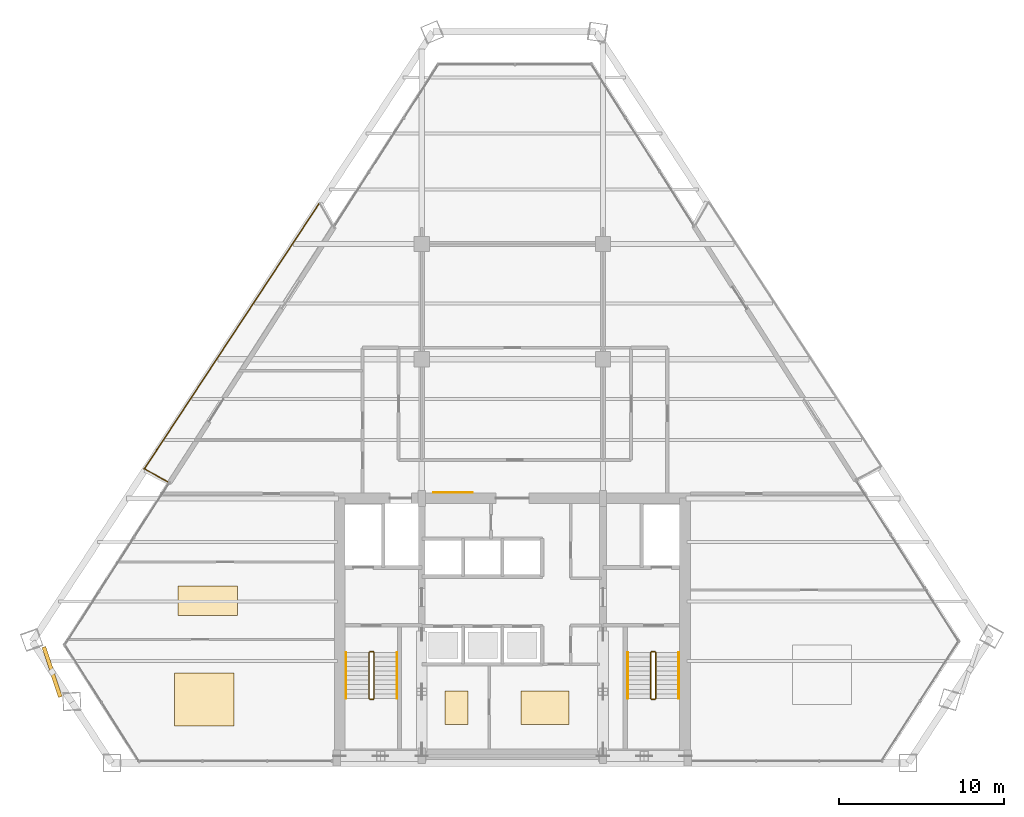
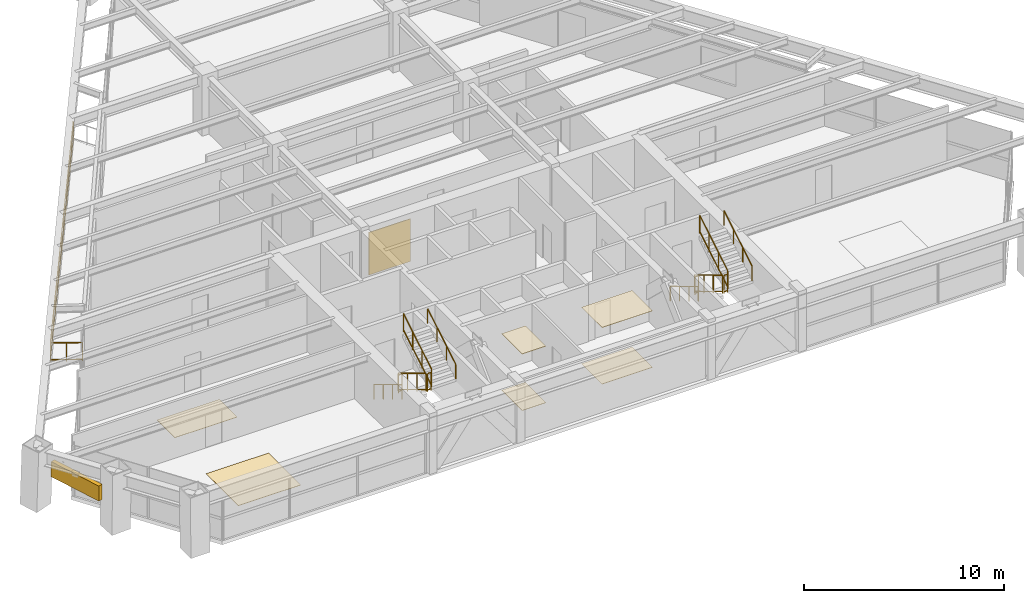
# One storey, part 14 of 16: 14 railings, 7 coverings, 1 shading device.
"""IFC4 building model written with IfcOpenShell, lengths in metres."""

from ifc_helpers import new_model, si_unit, direction, frame, origin, origin_2d, place, context, subcontext, project, spatial, rectangle, extrude, source, transform, mapped, material, layer, layer_set, type_object, type_shapes, element, save


model = new_model("IFC4")

# Units and contexts
model_context = context("Model", 3, precision=1e-05, world=origin(), true_north=direction((0.0, 1.0)))
body_context = subcontext(model_context, "Body", "Model", "MODEL_VIEW")
ifc_project = project(units=[si_unit("LENGTHUNIT", "METRE"), si_unit("AREAUNIT", "SQUARE_METRE"), si_unit("VOLUMEUNIT", "CUBIC_METRE"), si_unit("PLANEANGLEUNIT", "RADIAN"), si_unit("MASSUNIT", "GRAM", prefix="KILO")], contexts=[model_context])

# Site, building, storey
site_placement = place(None, origin())
site = spatial("IfcSite", under=ifc_project, at=site_placement, CompositionType="ELEMENT")
building_placement = place(site_placement, origin())
building = spatial("IfcBuilding", under=site, at=building_placement, Name="Varnakhor Terracotta Tower", CompositionType="ELEMENT")
storey_placement = place(building_placement, frame((0.0, 0.0, 151.5)))
storey = spatial("IfcBuildingStorey", under=building, at=storey_placement, Name="L38", CompositionType="ELEMENT", Elevation=151.5)

# Railings
ifc_material_1 = material(Name="Stainless Steel & Laminated Glass Guardrail", Category="steel")
railing_type_1 = type_object("IfcRailingType", Name="RLG-LOGGIA-GUARD-1150", PredefinedType="GUARDRAIL", material=ifc_material_1)
railing_1_placement = place(storey_placement, frame((-20.927001953125, 17.072265625, 0.0)))
element("IfcRailing", 1, at=railing_1_placement, inside=storey, type_object=railing_type_1, Name="L38 W Loggia Glass Guard 1", PredefinedType="GUARDRAIL", context=body_context, shape_type="SweptSolid", body=[
    extrude(rectangle(XDim=0.048095703125, YDim=0.048095703125, at=origin_2d()), frame((0.0, 0.0, 1.1259765625), z_axis=(-0.874178695969, 0.485604373449, 0.0), x_axis=(-0.485604373449, -0.874178695969, 0.0)), (0.0, 0.0, 1.0), 1.61279296875),
    extrude(rectangle(XDim=0.048095703125, YDim=0.048095703125, at=origin_2d()), frame((0.0, 0.0, 0.10009765625), z_axis=(-0.874178695969, 0.485604373449, 0.0), x_axis=(-0.485604373449, -0.874178695969, 0.0)), (0.0, 0.0, 1.0), 1.61279296875),
    extrude(rectangle(XDim=0.0419921875, YDim=0.0419921875, at=origin_2d()), origin(), (0.0, 0.0, 1.0), 1.101806640625),
    extrude(rectangle(XDim=0.0419921875, YDim=0.0419921875, at=origin_2d()), frame((-0.705078125, 0.3916015625, 0.0)), (0.0, 0.0, 1.0), 1.101806640625),
    extrude(rectangle(XDim=0.0419921875, YDim=0.0419921875, at=origin_2d()), frame((-1.409912109375, 0.783203125, 0.0)), (0.0, 0.0, 1.0), 1.101806640625),
])
railing_2_placement = place(storey_placement, frame((-22.3369140625, 17.85546875, 0.0)))
element("IfcRailing", 2, at=railing_2_placement, inside=storey, type_object=railing_type_1, Name="L38 W Loggia Glass Guard 2", PredefinedType="GUARDRAIL", context=body_context, shape_type="SweptSolid", body=[
    extrude(rectangle(XDim=0.048095703125, YDim=0.048095703125, at=origin_2d()), frame((0.0, 0.0, 1.1259765625), z_axis=(0.550427145008, 0.834883200238, 0.0), x_axis=(-0.834883200238, 0.550427145008, 0.0)), (0.0, 0.0, 1.0), 19.309326171875),
    extrude(rectangle(XDim=0.048095703125, YDim=0.048095703125, at=origin_2d()), frame((0.0, 0.0, 0.10009765625), z_axis=(0.550427145008, 0.834883200238, 0.0), x_axis=(-0.834883200238, 0.550427145008, 0.0)), (0.0, 0.0, 1.0), 19.309326171875),
    extrude(rectangle(XDim=0.0419921875, YDim=0.0419921875, at=origin_2d()), origin(), (0.0, 0.0, 1.0), 1.101806640625),
    extrude(rectangle(XDim=0.0419921875, YDim=0.0419921875, at=origin_2d()), frame((0.75927734375, 1.151611328125, 0.0)), (0.0, 0.0, 1.0), 1.101806640625),
    extrude(rectangle(XDim=0.0419921875, YDim=0.0419921875, at=origin_2d()), frame((1.518310546875, 2.302978515625, 0.0)), (0.0, 0.0, 1.0), 1.101806640625),
    extrude(rectangle(XDim=0.0419921875, YDim=0.0419921875, at=origin_2d()), frame((2.277587890625, 3.45458984375, 0.0)), (0.0, 0.0, 1.0), 1.101806640625),
    extrude(rectangle(XDim=0.0419921875, YDim=0.0419921875, at=origin_2d()), frame((3.03662109375, 4.60595703125, 0.0)), (0.0, 0.0, 1.0), 1.101806640625),
    extrude(rectangle(XDim=0.0419921875, YDim=0.0419921875, at=origin_2d()), frame((3.7958984375, 5.757568359375, 0.0)), (0.0, 0.0, 1.0), 1.101806640625),
    extrude(rectangle(XDim=0.0419921875, YDim=0.0419921875, at=origin_2d()), frame((4.554931640625, 6.908935546875, 0.0)), (0.0, 0.0, 1.0), 1.101806640625),
    extrude(rectangle(XDim=0.0419921875, YDim=0.0419921875, at=origin_2d()), frame((5.314208984375, 8.060546875, 0.0)), (0.0, 0.0, 1.0), 1.101806640625),
    extrude(rectangle(XDim=0.0419921875, YDim=0.0419921875, at=origin_2d()), frame((6.073486328125, 9.212158203125, 0.0)), (0.0, 0.0, 1.0), 1.101806640625),
    extrude(rectangle(XDim=0.0419921875, YDim=0.0419921875, at=origin_2d()), frame((6.83251953125, 10.363525390625, 0.0)), (0.0, 0.0, 1.0), 1.101806640625),
    extrude(rectangle(XDim=0.0419921875, YDim=0.0419921875, at=origin_2d()), frame((7.591796875, 11.51513671875, 0.0)), (0.0, 0.0, 1.0), 1.101806640625),
    extrude(rectangle(XDim=0.0419921875, YDim=0.0419921875, at=origin_2d()), frame((8.350830078125, 12.66650390625, 0.0)), (0.0, 0.0, 1.0), 1.101806640625),
    extrude(rectangle(XDim=0.0419921875, YDim=0.0419921875, at=origin_2d()), frame((9.110107421875, 13.818115234375, 0.0)), (0.0, 0.0, 1.0), 1.101806640625),
    extrude(rectangle(XDim=0.0419921875, YDim=0.0419921875, at=origin_2d()), frame((9.869140625, 14.969482421875, 0.0)), (0.0, 0.0, 1.0), 1.101806640625),
    extrude(rectangle(XDim=0.0419921875, YDim=0.0419921875, at=origin_2d()), frame((10.62841796875, 16.12109375, 0.0)), (0.0, 0.0, 1.0), 1.101806640625),
])
ifc_material_2 = material(Name="Painted Steel Stairwell Guardrail", Category="steel")
railing_type_2 = type_object("IfcRailingType", Name="RLG-STAIR-GUARD-1120", PredefinedType="GUARDRAIL", material=ifc_material_2)
railing_3_placement = place(storey_placement, frame((-8.699951171875, 6.7099609375, 0.168212890625)))
element("IfcRailing", 3, at=railing_3_placement, inside=storey, type_object=railing_type_2, Name="L38 ST-1 stair guard 1", PredefinedType="GUARDRAIL", context=body_context, shape_type="SweptSolid", body=[
    extrude(rectangle(XDim=0.048095703125, YDim=0.048095703125, at=origin_2d()), frame((0.0, 0.0, 1.09619140625), z_axis=(0.0, -0.857242210791, 0.514913383045), x_axis=(1.0, 0.0, 0.0)), (0.0, 0.0, 1.0), 3.266357421875),
    extrude(rectangle(XDim=0.048095703125, YDim=0.048095703125, at=origin_2d()), frame((0.0, 0.0, 0.10009765625), z_axis=(0.0, -0.857242210791, 0.514913383045), x_axis=(1.0, 0.0, 0.0)), (0.0, 0.0, 1.0), 3.266357421875),
    extrude(rectangle(XDim=0.0419921875, YDim=0.0419921875, at=origin_2d()), origin(), (0.0, 0.0, 1.0), 1.072021484375),
    extrude(rectangle(XDim=0.0419921875, YDim=0.0419921875, at=origin_2d()), frame((0.0, -0.933349609375, 0.560546875)), (0.0, 0.0, 1.0), 1.072021484375),
    extrude(rectangle(XDim=0.0419921875, YDim=0.0419921875, at=origin_2d()), frame((0.0, -1.86669921875, 1.121337890625)), (0.0, 0.0, 1.0), 1.072021484375),
    extrude(rectangle(XDim=0.0419921875, YDim=0.0419921875, at=origin_2d()), frame((0.0, -2.800048828125, 1.681884765625)), (0.0, 0.0, 1.0), 1.072021484375),
])
railing_4_placement = place(storey_placement, frame((-8.64990234375, 3.860107421875, 1.85009765625)))
element("IfcRailing", 4, at=railing_4_placement, inside=storey, type_object=railing_type_2, Name="L38 ST-1 stair guard 2", PredefinedType="GUARDRAIL", context=body_context, shape_type="SweptSolid", body=[
    extrude(rectangle(XDim=0.048095703125, YDim=0.048095703125, at=origin_2d()), frame((0.0, 0.0, 1.09619140625), z_axis=(1.0, 0.0, 0.0), x_axis=(0.0, 1.0, 0.0)), (0.0, 0.0, 1.0), 0.199951171875),
    extrude(rectangle(XDim=0.048095703125, YDim=0.048095703125, at=origin_2d()), frame((0.0, 0.0, 0.10009765625), z_axis=(1.0, 0.0, 0.0), x_axis=(0.0, 1.0, 0.0)), (0.0, 0.0, 1.0), 0.199951171875),
    extrude(rectangle(XDim=0.0419921875, YDim=0.0419921875, at=origin_2d()), origin(), (0.0, 0.0, 1.0), 1.072021484375),
    extrude(rectangle(XDim=0.0419921875, YDim=0.0419921875, at=origin_2d()), frame((0.199951171875, 0.0, 0.0)), (0.0, 0.0, 1.0), 1.072021484375),
])
railing_5_placement = place(storey_placement, frame((-8.39990234375, 3.909912109375, 2.01806640625)))
element("IfcRailing", 5, at=railing_5_placement, inside=storey, type_object=railing_type_2, Name="L38 ST-1 stair guard 3", PredefinedType="GUARDRAIL", context=body_context, shape_type="SweptSolid", body=[
    extrude(rectangle(XDim=0.048095703125, YDim=0.048095703125, at=origin_2d()), frame((0.0, 0.0, 1.09619140625), z_axis=(0.0, 0.857242210791, 0.514913383045), x_axis=(-1.0, 0.0, 0.0)), (0.0, 0.0, 1.0), 3.266357421875),
    extrude(rectangle(XDim=0.048095703125, YDim=0.048095703125, at=origin_2d()), frame((0.0, 0.0, 0.10009765625), z_axis=(0.0, 0.857242210791, 0.514913383045), x_axis=(-1.0, 0.0, 0.0)), (0.0, 0.0, 1.0), 3.266357421875),
    extrude(rectangle(XDim=0.0419921875, YDim=0.0419921875, at=origin_2d()), origin(), (0.0, 0.0, 1.0), 1.072021484375),
    extrude(rectangle(XDim=0.0419921875, YDim=0.0419921875, at=origin_2d()), frame((0.0, 0.933349609375, 0.560546875)), (0.0, 0.0, 1.0), 1.072021484375),
    extrude(rectangle(XDim=0.0419921875, YDim=0.0419921875, at=origin_2d()), frame((0.0, 1.86669921875, 1.121337890625)), (0.0, 0.0, 1.0), 1.072021484375),
    extrude(rectangle(XDim=0.0419921875, YDim=0.0419921875, at=origin_2d()), frame((0.0, 2.800048828125, 1.681884765625)), (0.0, 0.0, 1.0), 1.072021484375),
])
railing_6_placement = place(storey_placement, frame((-8.64990234375, 6.760009765625, 0.0)))
element("IfcRailing", 6, at=railing_6_placement, inside=storey, type_object=railing_type_2, Name="L38 ST-1 stair guard 4", PredefinedType="GUARDRAIL", context=body_context, shape_type="SweptSolid", body=[
    extrude(rectangle(XDim=0.048095703125, YDim=0.048095703125, at=origin_2d()), frame((0.0, 0.0, 1.09619140625), z_axis=(1.0, 0.0, 0.0), x_axis=(0.0, 1.0, 0.0)), (0.0, 0.0, 1.0), 0.199951171875),
    extrude(rectangle(XDim=0.048095703125, YDim=0.048095703125, at=origin_2d()), frame((0.0, 0.0, 0.10009765625), z_axis=(1.0, 0.0, 0.0), x_axis=(0.0, 1.0, 0.0)), (0.0, 0.0, 1.0), 0.199951171875),
    extrude(rectangle(XDim=0.0419921875, YDim=0.0419921875, at=origin_2d()), origin(), (0.0, 0.0, 1.0), 1.072021484375),
    extrude(rectangle(XDim=0.0419921875, YDim=0.0419921875, at=origin_2d()), frame((0.199951171875, 0.0, 0.0)), (0.0, 0.0, 1.0), 1.072021484375),
])
railing_7_placement = place(storey_placement, frame((8.39990234375, 6.7099609375, 0.168212890625)))
element("IfcRailing", 7, at=railing_7_placement, inside=storey, type_object=railing_type_2, Name="L38 ST-2 stair guard 1", PredefinedType="GUARDRAIL", context=body_context, shape_type="SweptSolid", body=[
    extrude(rectangle(XDim=0.048095703125, YDim=0.048095703125, at=origin_2d()), frame((0.0, 0.0, 1.09619140625), z_axis=(0.0, -0.857242210791, 0.514913383045), x_axis=(1.0, 0.0, 0.0)), (0.0, 0.0, 1.0), 3.266357421875),
    extrude(rectangle(XDim=0.048095703125, YDim=0.048095703125, at=origin_2d()), frame((0.0, 0.0, 0.10009765625), z_axis=(0.0, -0.857242210791, 0.514913383045), x_axis=(1.0, 0.0, 0.0)), (0.0, 0.0, 1.0), 3.266357421875),
    extrude(rectangle(XDim=0.0419921875, YDim=0.0419921875, at=origin_2d()), origin(), (0.0, 0.0, 1.0), 1.072021484375),
    extrude(rectangle(XDim=0.0419921875, YDim=0.0419921875, at=origin_2d()), frame((0.0, -0.933349609375, 0.560546875)), (0.0, 0.0, 1.0), 1.072021484375),
    extrude(rectangle(XDim=0.0419921875, YDim=0.0419921875, at=origin_2d()), frame((0.0, -1.86669921875, 1.121337890625)), (0.0, 0.0, 1.0), 1.072021484375),
    extrude(rectangle(XDim=0.0419921875, YDim=0.0419921875, at=origin_2d()), frame((0.0, -2.800048828125, 1.681884765625)), (0.0, 0.0, 1.0), 1.072021484375),
])
railing_8_placement = place(storey_placement, frame((8.449951171875, 3.860107421875, 1.85009765625)))
element("IfcRailing", 8, at=railing_8_placement, inside=storey, type_object=railing_type_2, Name="L38 ST-2 stair guard 2", PredefinedType="GUARDRAIL", context=body_context, shape_type="SweptSolid", body=[
    extrude(rectangle(XDim=0.048095703125, YDim=0.048095703125, at=origin_2d()), frame((0.0, 0.0, 1.09619140625), z_axis=(1.0, 0.0, 0.0), x_axis=(0.0, 1.0, 0.0)), (0.0, 0.0, 1.0), 0.199951171875),
    extrude(rectangle(XDim=0.048095703125, YDim=0.048095703125, at=origin_2d()), frame((0.0, 0.0, 0.10009765625), z_axis=(1.0, 0.0, 0.0), x_axis=(0.0, 1.0, 0.0)), (0.0, 0.0, 1.0), 0.199951171875),
    extrude(rectangle(XDim=0.0419921875, YDim=0.0419921875, at=origin_2d()), origin(), (0.0, 0.0, 1.0), 1.072021484375),
    extrude(rectangle(XDim=0.0419921875, YDim=0.0419921875, at=origin_2d()), frame((0.199951171875, 0.0, 0.0)), (0.0, 0.0, 1.0), 1.072021484375),
])
railing_9_placement = place(storey_placement, frame((8.699951171875, 3.909912109375, 2.01806640625)))
element("IfcRailing", 9, at=railing_9_placement, inside=storey, type_object=railing_type_2, Name="L38 ST-2 stair guard 3", PredefinedType="GUARDRAIL", context=body_context, shape_type="SweptSolid", body=[
    extrude(rectangle(XDim=0.048095703125, YDim=0.048095703125, at=origin_2d()), frame((0.0, 0.0, 1.09619140625), z_axis=(0.0, 0.857242210791, 0.514913383045), x_axis=(-1.0, 0.0, 0.0)), (0.0, 0.0, 1.0), 3.266357421875),
    extrude(rectangle(XDim=0.048095703125, YDim=0.048095703125, at=origin_2d()), frame((0.0, 0.0, 0.10009765625), z_axis=(0.0, 0.857242210791, 0.514913383045), x_axis=(-1.0, 0.0, 0.0)), (0.0, 0.0, 1.0), 3.266357421875),
    extrude(rectangle(XDim=0.0419921875, YDim=0.0419921875, at=origin_2d()), origin(), (0.0, 0.0, 1.0), 1.072021484375),
    extrude(rectangle(XDim=0.0419921875, YDim=0.0419921875, at=origin_2d()), frame((0.0, 0.933349609375, 0.560546875)), (0.0, 0.0, 1.0), 1.072021484375),
    extrude(rectangle(XDim=0.0419921875, YDim=0.0419921875, at=origin_2d()), frame((0.0, 1.86669921875, 1.121337890625)), (0.0, 0.0, 1.0), 1.072021484375),
    extrude(rectangle(XDim=0.0419921875, YDim=0.0419921875, at=origin_2d()), frame((0.0, 2.800048828125, 1.681884765625)), (0.0, 0.0, 1.0), 1.072021484375),
])
railing_10_placement = place(storey_placement, frame((8.449951171875, 6.760009765625, 0.0)))
element("IfcRailing", 10, at=railing_10_placement, inside=storey, type_object=railing_type_2, Name="L38 ST-2 stair guard 4", PredefinedType="GUARDRAIL", context=body_context, shape_type="SweptSolid", body=[
    extrude(rectangle(XDim=0.048095703125, YDim=0.048095703125, at=origin_2d()), frame((0.0, 0.0, 1.09619140625), z_axis=(1.0, 0.0, 0.0), x_axis=(0.0, 1.0, 0.0)), (0.0, 0.0, 1.0), 0.199951171875),
    extrude(rectangle(XDim=0.048095703125, YDim=0.048095703125, at=origin_2d()), frame((0.0, 0.0, 0.10009765625), z_axis=(1.0, 0.0, 0.0), x_axis=(0.0, 1.0, 0.0)), (0.0, 0.0, 1.0), 0.199951171875),
    extrude(rectangle(XDim=0.0419921875, YDim=0.0419921875, at=origin_2d()), origin(), (0.0, 0.0, 1.0), 1.072021484375),
    extrude(rectangle(XDim=0.0419921875, YDim=0.0419921875, at=origin_2d()), frame((0.199951171875, 0.0, 0.0)), (0.0, 0.0, 1.0), 1.072021484375),
])
ifc_material_3 = material(Name="Brushed Stainless Steel Handrail", Category="steel")
railing_type_3 = type_object("IfcRailingType", Name="RLG-STAIR-HANDRAIL-920", PredefinedType="HANDRAIL", material=ifc_material_3)
railing_11_placement = place(storey_placement, frame((-10.10009765625, 6.7099609375, 0.168212890625)))
element("IfcRailing", 11, at=railing_11_placement, inside=storey, type_object=railing_type_3, Name="L38 ST-1 stair handrail 1", PredefinedType="HANDRAIL", context=body_context, shape_type="SweptSolid", body=[
    extrude(rectangle(XDim=0.048095703125, YDim=0.048095703125, at=origin_2d()), frame((0.0, 0.0, 0.89599609375), z_axis=(0.0, -0.857242210791, 0.514913383045), x_axis=(1.0, 0.0, 0.0)), (0.0, 0.0, 1.0), 3.266357421875),
    extrude(rectangle(XDim=0.0419921875, YDim=0.0419921875, at=origin_2d()), origin(), (0.0, 0.0, 1.0), 0.871826171875),
    extrude(rectangle(XDim=0.0419921875, YDim=0.0419921875, at=origin_2d()), frame((0.0, -0.933349609375, 0.560546875)), (0.0, 0.0, 1.0), 0.871826171875),
    extrude(rectangle(XDim=0.0419921875, YDim=0.0419921875, at=origin_2d()), frame((0.0, -1.86669921875, 1.121337890625)), (0.0, 0.0, 1.0), 0.871826171875),
    extrude(rectangle(XDim=0.0419921875, YDim=0.0419921875, at=origin_2d()), frame((0.0, -2.800048828125, 1.681884765625)), (0.0, 0.0, 1.0), 0.871826171875),
])
railing_12_placement = place(storey_placement, frame((-7.0, 3.909912109375, 2.01806640625)))
element("IfcRailing", 12, at=railing_12_placement, inside=storey, type_object=railing_type_3, Name="L38 ST-1 stair handrail 2", PredefinedType="HANDRAIL", context=body_context, shape_type="SweptSolid", body=[
    extrude(rectangle(XDim=0.048095703125, YDim=0.048095703125, at=origin_2d()), frame((0.0, 0.0, 0.89599609375), z_axis=(0.0, 0.857242210791, 0.514913383045), x_axis=(-1.0, 0.0, 0.0)), (0.0, 0.0, 1.0), 3.266357421875),
    extrude(rectangle(XDim=0.0419921875, YDim=0.0419921875, at=origin_2d()), origin(), (0.0, 0.0, 1.0), 0.871826171875),
    extrude(rectangle(XDim=0.0419921875, YDim=0.0419921875, at=origin_2d()), frame((0.0, 0.933349609375, 0.560546875)), (0.0, 0.0, 1.0), 0.871826171875),
    extrude(rectangle(XDim=0.0419921875, YDim=0.0419921875, at=origin_2d()), frame((0.0, 1.86669921875, 1.121337890625)), (0.0, 0.0, 1.0), 0.871826171875),
    extrude(rectangle(XDim=0.0419921875, YDim=0.0419921875, at=origin_2d()), frame((0.0, 2.800048828125, 1.681884765625)), (0.0, 0.0, 1.0), 0.871826171875),
])
railing_13_placement = place(storey_placement, frame((7.0, 6.7099609375, 0.168212890625)))
element("IfcRailing", 13, at=railing_13_placement, inside=storey, type_object=railing_type_3, Name="L38 ST-2 stair handrail 1", PredefinedType="HANDRAIL", context=body_context, shape_type="SweptSolid", body=[
    extrude(rectangle(XDim=0.048095703125, YDim=0.048095703125, at=origin_2d()), frame((0.0, 0.0, 0.89599609375), z_axis=(0.0, -0.857242210791, 0.514913383045), x_axis=(1.0, 0.0, 0.0)), (0.0, 0.0, 1.0), 3.266357421875),
    extrude(rectangle(XDim=0.0419921875, YDim=0.0419921875, at=origin_2d()), origin(), (0.0, 0.0, 1.0), 0.871826171875),
    extrude(rectangle(XDim=0.0419921875, YDim=0.0419921875, at=origin_2d()), frame((0.0, -0.933349609375, 0.560546875)), (0.0, 0.0, 1.0), 0.871826171875),
    extrude(rectangle(XDim=0.0419921875, YDim=0.0419921875, at=origin_2d()), frame((0.0, -1.86669921875, 1.121337890625)), (0.0, 0.0, 1.0), 0.871826171875),
    extrude(rectangle(XDim=0.0419921875, YDim=0.0419921875, at=origin_2d()), frame((0.0, -2.800048828125, 1.681884765625)), (0.0, 0.0, 1.0), 0.871826171875),
])
railing_14_placement = place(storey_placement, frame((10.10009765625, 3.909912109375, 2.01806640625)))
element("IfcRailing", 14, at=railing_14_placement, inside=storey, type_object=railing_type_3, Name="L38 ST-2 stair handrail 2", PredefinedType="HANDRAIL", context=body_context, shape_type="SweptSolid", body=[
    extrude(rectangle(XDim=0.048095703125, YDim=0.048095703125, at=origin_2d()), frame((0.0, 0.0, 0.89599609375), z_axis=(0.0, 0.857242210791, 0.514913383045), x_axis=(-1.0, 0.0, 0.0)), (0.0, 0.0, 1.0), 3.266357421875),
    extrude(rectangle(XDim=0.0419921875, YDim=0.0419921875, at=origin_2d()), origin(), (0.0, 0.0, 1.0), 0.871826171875),
    extrude(rectangle(XDim=0.0419921875, YDim=0.0419921875, at=origin_2d()), frame((0.0, 0.933349609375, 0.560546875)), (0.0, 0.0, 1.0), 0.871826171875),
    extrude(rectangle(XDim=0.0419921875, YDim=0.0419921875, at=origin_2d()), frame((0.0, 1.86669921875, 1.121337890625)), (0.0, 0.0, 1.0), 0.871826171875),
    extrude(rectangle(XDim=0.0419921875, YDim=0.0419921875, at=origin_2d()), frame((0.0, 2.800048828125, 1.681884765625)), (0.0, 0.0, 1.0), 0.871826171875),
])

# Shading device
ifc_material_4 = material(Name="Extruded Architectural Terracotta Screen", Category="masonry")
shading_device_type = type_object("IfcShadingDeviceType", Name="TERRACOTTA SOLAR SCREEN W", PredefinedType="USERDEFINED", material=ifc_material_4)
shared_shape_1 = source(origin(), body_context, "Body", "SweptSolid", [
    extrude(rectangle(XDim=3.199951171875, YDim=0.239990234375, at=origin_2d()), origin(), (0.0, 0.0, 1.0), 0.919921875),
])
type_shapes(shading_device_type, [shared_shape_1])
shading_device_placement = place(storey_placement, frame((-27.9365234375, 5.52587890625, 1.7099609375), z_axis=(0.0, 0.0, 1.0), x_axis=(0.310726198092, -0.950499463345, 0.0)))
element("IfcShadingDevice", 15, at=shading_device_placement, inside=storey, type_object=shading_device_type, Name="L38 W Terracotta Solar Screen", ObjectType="SCREEN", PredefinedType="USERDEFINED", context=body_context, shape_type="MappedRepresentation", body=[
    mapped(shared_shape_1, transform((0.0, 0.0, 0.0), scale=1.0)),
])

# Coverings
ifc_material_5 = material(Name="Extruded Architectural Terracotta Cladding", Category="masonry")
ifc_layer_1 = layer(ifc_material_5, 0.044921875, Name="Extruded Architectural Terracotta Cladding")
ifc_layer_set_1 = layer_set([ifc_layer_1], Name="Extruded Architectural Terracotta Cladding")
covering_type_1 = type_object("IfcCoveringType", Name="COV-CLAD-TERRACOTTA", PredefinedType="CLADDING", material=ifc_layer_set_1)
shared_shape_2 = source(origin(), body_context, "Body", "SweptSolid", [
    extrude(rectangle(XDim=2.39990234375, YDim=0.030029296875, at=origin_2d()), origin(), (0.0, 0.0, 1.0), 2.60009765625),
])
type_shapes(covering_type_1, [shared_shape_2])
covering_1_placement = place(storey_placement, frame((-3.60009765625, 16.412109375, 0.0), z_axis=(0.0, 0.0, 1.0), x_axis=(1.0, 0.0, 0.0)))
element("IfcCovering", 16, at=covering_1_placement, inside=storey, type_object=covering_type_1, Name="L38 Core Lobby Limestone Cladding", PredefinedType="CLADDING", context=body_context, shape_type="MappedRepresentation", body=[
    mapped(shared_shape_2, transform((0.0, 0.0, 0.0), scale=1.0)),
])
ifc_material_6 = material(Name="Honed Riyadh Limestone Flooring", Category="masonry")
ifc_layer_2 = layer(ifc_material_6, 0.030029296875, Name="Honed Riyadh Limestone Flooring")
ifc_layer_set_2 = layer_set([ifc_layer_2], Name="Honed Riyadh Limestone Flooring")
covering_type_2 = type_object("IfcCoveringType", Name="COV-FLOOR-LIMESTONE", PredefinedType="FLOORING", material=ifc_layer_set_2)
shared_shape_3 = source(origin(), body_context, "Body", "SweptSolid", [
    extrude(rectangle(XDim=3.60009765625, YDim=3.214111328125, at=origin_2d()), origin(), (0.0, 0.0, 1.0), 0.02001953125),
])
covering_2_placement = place(storey_placement, frame((-18.7041015625, 3.85205078125, 0.0), z_axis=(0.0, 0.0, 1.0), x_axis=(1.0, 0.0, 0.0)))
element("IfcCovering", 17, at=covering_2_placement, inside=storey, type_object=covering_type_2, Name="L38 Honed Stone Flooring 3", PredefinedType="FLOORING", context=body_context, shape_type="MappedRepresentation", body=[
    mapped(shared_shape_3, transform((0.0, 0.0, 0.0), scale=1.0)),
])
shared_shape_4 = source(origin(), body_context, "Body", "SweptSolid", [
    extrude(rectangle(XDim=3.60009765625, YDim=1.785888671875, at=origin_2d()), origin(), (0.0, 0.0, 1.0), 0.02001953125),
])
covering_3_placement = place(storey_placement, frame((-18.491943359375, 9.85009765625, 0.0), z_axis=(0.0, 0.0, 1.0), x_axis=(1.0, 0.0, 0.0)))
element("IfcCovering", 18, at=covering_3_placement, inside=storey, type_object=covering_type_2, Name="L38 Honed Stone Flooring 5", PredefinedType="FLOORING", context=body_context, shape_type="MappedRepresentation", body=[
    mapped(shared_shape_4, transform((0.0, 0.0, 0.0), scale=1.0)),
])
shared_shape_5 = source(origin(), body_context, "Body", "SweptSolid", [
    extrude(rectangle(XDim=1.375, YDim=2.041015625, at=origin_2d()), origin(), (0.0, 0.0, 1.0), 0.02001953125),
])
covering_4_placement = place(storey_placement, frame((-3.389892578125, 3.35498046875, 0.0), z_axis=(0.0, 0.0, 1.0), x_axis=(1.0, 0.0, 0.0)))
element("IfcCovering", 19, at=covering_4_placement, inside=storey, type_object=covering_type_2, Name="L38 Honed Stone Flooring 1", PredefinedType="FLOORING", context=body_context, shape_type="MappedRepresentation", body=[
    mapped(shared_shape_5, transform((0.0, 0.0, 0.0), scale=1.0)),
])
ifc_material_7 = material(Name="Perforated Acoustic Mineral-Fibre Ceiling", Category="gypsum")
ifc_layer_3 = layer(ifc_material_7, 0.02490234375, Name="Perforated Acoustic Mineral-Fibre Ceiling")
ifc_layer_set_3 = layer_set([ifc_layer_3], Name="Perforated Acoustic Mineral-Fibre Ceiling")
covering_type_3 = type_object("IfcCoveringType", Name="COV-CEILING-ACOUSTIC", PredefinedType="CEILING", material=ifc_layer_set_3)
shared_shape_6 = source(origin(), body_context, "Body", "SweptSolid", [
    extrude(rectangle(XDim=1.375, YDim=2.041015625, at=origin_2d()), origin(), (0.0, 0.0, 1.0), 0.02392578125),
])
covering_5_placement = place(storey_placement, frame((-3.389892578125, 3.35498046875, 3.446044921875), z_axis=(0.0, 0.0, 1.0), x_axis=(1.0, 0.0, 0.0)))
element("IfcCovering", 20, at=covering_5_placement, inside=storey, type_object=covering_type_3, Name="L38 Acoustic Ceiling Panel 1", PredefinedType="CEILING", context=body_context, shape_type="MappedRepresentation", body=[
    mapped(shared_shape_6, transform((0.0, 0.0, 0.0), scale=1.0)),
])
shared_shape_7 = source(origin(), body_context, "Body", "SweptSolid", [
    extrude(rectangle(XDim=2.9150390625, YDim=2.041015625, at=origin_2d()), origin(), (0.0, 0.0, 1.0), 0.02001953125),
])
covering_6_placement = place(storey_placement, frame((1.989990234375, 3.35498046875, 0.0), z_axis=(0.0, 0.0, 1.0), x_axis=(1.0, 0.0, 0.0)))
element("IfcCovering", 21, at=covering_6_placement, inside=storey, type_object=covering_type_2, Name="L38 Honed Stone Flooring 2", PredefinedType="FLOORING", context=body_context, shape_type="MappedRepresentation", body=[
    mapped(shared_shape_7, transform((0.0, 0.0, 0.0), scale=1.0)),
])
shared_shape_8 = source(origin(), body_context, "Body", "SweptSolid", [
    extrude(rectangle(XDim=2.9150390625, YDim=2.041015625, at=origin_2d()), origin(), (0.0, 0.0, 1.0), 0.02392578125),
])
covering_7_placement = place(storey_placement, frame((1.989990234375, 3.35498046875, 3.446044921875), z_axis=(0.0, 0.0, 1.0), x_axis=(1.0, 0.0, 0.0)))
element("IfcCovering", 22, at=covering_7_placement, inside=storey, type_object=covering_type_3, Name="L38 Acoustic Ceiling Panel 2", PredefinedType="CEILING", context=body_context, shape_type="MappedRepresentation", body=[
    mapped(shared_shape_8, transform((0.0, 0.0, 0.0), scale=1.0)),
])

save(model, "model.ifc")
